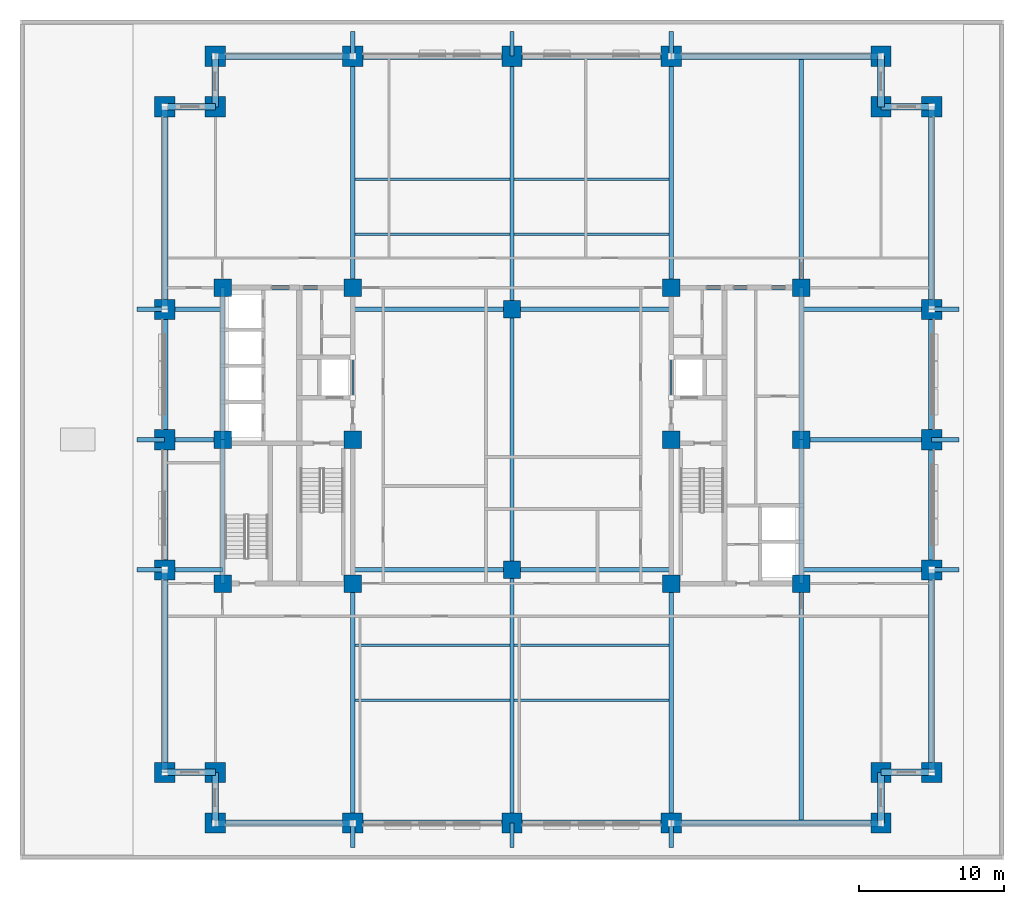
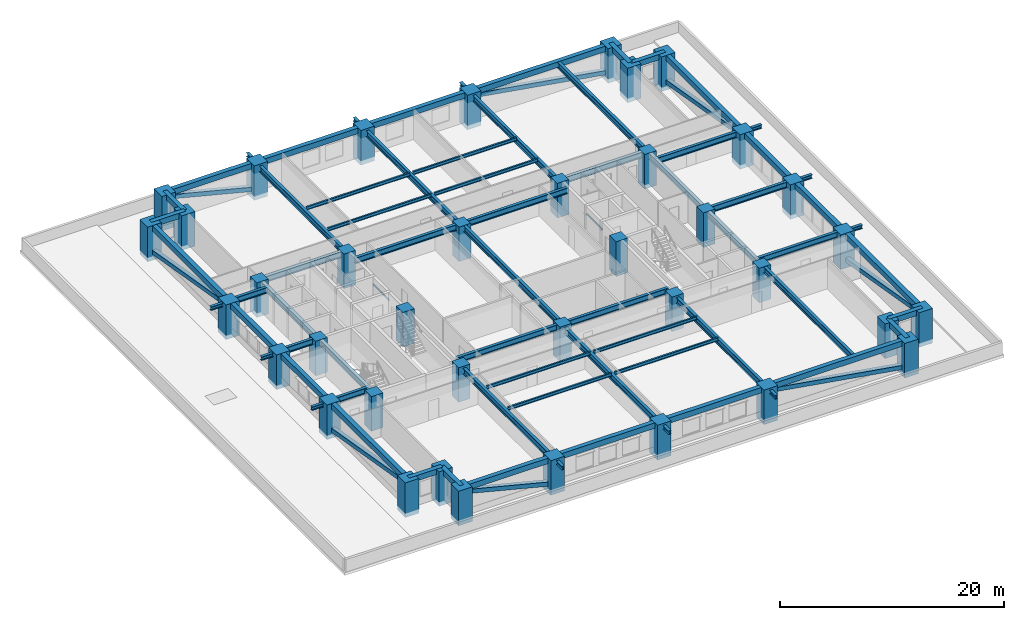
# One storey, part 1 of 12: 71 beams, 38 columns, 8 members.
"""IFC4 building model written with IfcOpenShell, lengths in metres."""

from ifc_helpers import new_model, si_unit, direction, frame, origin, origin_2d, place, context, subcontext, project, spatial, rectangle, hollow_rectangle, i_section, extrude, material, material_profile, profile_set, type_object, element, save


model = new_model("IFC4")

# Units and contexts
model_context = context("Model", 3, precision=1e-05, world=origin(), true_north=direction((0.0, 1.0)))
body_context = subcontext(model_context, "Body", "Model", "MODEL_VIEW")
ifc_project = project(units=[si_unit("LENGTHUNIT", "METRE"), si_unit("AREAUNIT", "SQUARE_METRE"), si_unit("VOLUMEUNIT", "CUBIC_METRE"), si_unit("PLANEANGLEUNIT", "RADIAN"), si_unit("MASSUNIT", "GRAM", prefix="KILO")], contexts=[model_context])

# Site, building, storey
site_placement = place(None, origin())
site = spatial("IfcSite", under=ifc_project, at=site_placement, CompositionType="ELEMENT")
building_placement = place(site_placement, origin())
building = spatial("IfcBuilding", under=site, at=building_placement, Name="Zulmaris Gate Convention Tower", CompositionType="ELEMENT")
storey_placement = place(building_placement, frame((0.0, 0.0, 27.199951171875)))
storey = spatial("IfcBuildingStorey", under=building, at=storey_placement, Name="L05", CompositionType="ELEMENT", Elevation=27.199951171875)

# Columns
ifc_material_1 = material(Name="Concrete C70/85", Category="concrete")
ifc_material_profile_1 = material_profile(ifc_material_1, rectangle(XDim=1.199951171875, YDim=1.199951171875, at=origin_2d()), Name="RC COL 1200x1200")
ifc_profile_set_1 = profile_set([ifc_material_profile_1], Name="Concrete C70/85")
column_type_1 = type_object("IfcColumnType", Name="COL-RC1200", PredefinedType="COLUMN", material=ifc_profile_set_1)
for number, where, z_axis, x_axis, name in (
    (1, (-20.0, -9.949951171875, -0.449951171875), (0.0, 0.0, 1.0), (1.0, 0.0, 0.0), "L05 Column IN--20.00_-9.95"),
    (2, (-20.0, 10.5, -0.449951171875), (0.0, 0.0, 1.0), (1.0, 0.0, 0.0), "L05 Column IN--20.00_+10.50"),
    (3, (-11.0, -9.949951171875, -0.449951171875), (0.0, 0.0, 1.0), (1.0, 0.0, 0.0), "L05 Column IN--11.00_-9.95"),
    (4, (-11.0, 0.0, -0.449951171875), (0.0, 0.0, 1.0), (1.0, 0.0, 0.0), "L05 Column IN--11.00_+0.00"),
    (5, (-11.0, 10.5, -0.449951171875), (0.0, 0.0, 1.0), (1.0, 0.0, 0.0), "L05 Column IN--11.00_+10.50"),
    (6, (11.0, -9.949951171875, -0.449951171875), (0.0, 0.0, 1.0), (1.0, 0.0, 0.0), "L05 Column IN-+11.00_-9.95"),
    (7, (11.0, 0.0, -0.449951171875), (0.0, 0.0, 1.0), (1.0, 0.0, 0.0), "L05 Column IN-+11.00_+0.00"),
    (8, (11.0, 10.5, -0.449951171875), (0.0, 0.0, 1.0), (1.0, 0.0, 0.0), "L05 Column IN-+11.00_+10.50"),
    (9, (20.0, -9.949951171875, -0.449951171875), (0.0, 0.0, 1.0), (1.0, 0.0, 0.0), "L05 Column IN-+20.00_-9.95"),
    (10, (20.0, 10.5, -0.449951171875), (0.0, 0.0, 1.0), (1.0, 0.0, 0.0), "L05 Column IN-+20.00_+10.50"),
    (11, (0.0, -9.0, -0.449951171875), (0.0, 0.0, 1.0), (1.0, 0.0, 0.0), "L05 Column IN-+0.00_-9.00"),
    (12, (0.0, 9.0, -0.449951171875), (0.0, 0.0, 1.0), (1.0, 0.0, 0.0), "L05 Column IN-+0.00_+9.00"),
    (13, (-20.0, 0.0, -0.449951171875), (0.0, 0.0, 1.0), (1.0, 0.0, 0.0), "L05 Column IN--20.00_+0.00"),
    (14, (20.0, 0.0, -0.449951171875), (0.0, 0.0, 1.0), (1.0, 0.0, 0.0), "L05 Column IN-+20.00_+0.00"),
):
    element("IfcColumn", number, at=place(storey_placement, frame(where, z_axis=z_axis, x_axis=x_axis)), inside=storey, type_object=column_type_1, Name=name, PredefinedType="COLUMN", context=body_context, shape_type="SweptSolid", body=[
        extrude(rectangle(XDim=1.199951171875, YDim=1.199951171875, at=origin_2d()), origin(), (0.0, 0.0, 1.0), 3.77001953125),
    ])
ifc_material_2 = material(Name="Concrete C80/95", Category="concrete")
ifc_material_profile_2 = material_profile(ifc_material_2, rectangle(XDim=1.39990234375, YDim=1.39990234375, at=origin_2d()), Name="RC COL 1400x1400")
ifc_profile_set_2 = profile_set([ifc_material_profile_2], Name="Concrete C80/95")
column_type_2 = type_object("IfcColumnType", Name="COL-RC1400", PredefinedType="COLUMN", material=ifc_profile_set_2)
for number, where, z_axis, x_axis, name in (
    (15, (-20.5, -26.5, -0.449951171875), (0.0, 0.0, 1.0), (1.0, 0.0, 0.0), "L05 Column PT--20.50_-26.50"),
    (16, (-11.0, -26.5, -0.449951171875), (0.0, 0.0, 1.0), (1.0, 0.0, 0.0), "L05 Column PT--11.00_-26.50"),
    (17, (0.0, -26.5, -0.449951171875), (0.0, 0.0, 1.0), (1.0, 0.0, 0.0), "L05 Column PT-+0.00_-26.50"),
    (18, (11.0, -26.5, -0.449951171875), (0.0, 0.0, 1.0), (1.0, 0.0, 0.0), "L05 Column PT-+11.00_-26.50"),
    (19, (25.5, -26.5, -0.449951171875), (0.0, 0.0, 1.0), (1.0, 0.0, 0.0), "L05 Column PT-+25.50_-26.50"),
    (20, (-20.5, 26.5, -0.449951171875), (0.0, 0.0, 1.0), (1.0, 0.0, 0.0), "L05 Column PT--20.50_+26.50"),
    (21, (-11.0, 26.5, -0.449951171875), (0.0, 0.0, 1.0), (1.0, 0.0, 0.0), "L05 Column PT--11.00_+26.50"),
    (22, (0.0, 26.5, -0.449951171875), (0.0, 0.0, 1.0), (1.0, 0.0, 0.0), "L05 Column PT-+0.00_+26.50"),
    (23, (11.0, 26.5, -0.449951171875), (0.0, 0.0, 1.0), (1.0, 0.0, 0.0), "L05 Column PT-+11.00_+26.50"),
    (24, (25.5, 26.5, -0.449951171875), (0.0, 0.0, 1.0), (1.0, 0.0, 0.0), "L05 Column PT-+25.50_+26.50"),
    (25, (-24.0, -23.0, -0.449951171875), (0.0, 0.0, 1.0), (1.0, 0.0, 0.0), "L05 Column PT--24.00_-23.00"),
    (26, (-24.0, -9.0, -0.449951171875), (0.0, 0.0, 1.0), (1.0, 0.0, 0.0), "L05 Column PT--24.00_-9.00"),
    (27, (-24.0, 0.0, -0.449951171875), (0.0, 0.0, 1.0), (1.0, 0.0, 0.0), "L05 Column PT--24.00_+0.00"),
    (28, (-24.0, 9.0, -0.449951171875), (0.0, 0.0, 1.0), (1.0, 0.0, 0.0), "L05 Column PT--24.00_+9.00"),
    (29, (-24.0, 23.0, -0.449951171875), (0.0, 0.0, 1.0), (1.0, 0.0, 0.0), "L05 Column PT--24.00_+23.00"),
    (30, (29.0, -23.0, -0.449951171875), (0.0, 0.0, 1.0), (1.0, 0.0, 0.0), "L05 Column PT-+29.00_-23.00"),
    (31, (29.0, -9.0, -0.449951171875), (0.0, 0.0, 1.0), (1.0, 0.0, 0.0), "L05 Column PT-+29.00_-9.00"),
    (32, (29.0, 0.0, -0.449951171875), (0.0, 0.0, 1.0), (1.0, 0.0, 0.0), "L05 Column PT-+29.00_+0.00"),
    (33, (29.0, 9.0, -0.449951171875), (0.0, 0.0, 1.0), (1.0, 0.0, 0.0), "L05 Column PT-+29.00_+9.00"),
    (34, (29.0, 23.0, -0.449951171875), (0.0, 0.0, 1.0), (1.0, 0.0, 0.0), "L05 Column PT-+29.00_+23.00"),
    (35, (-20.5, -23.0, -0.449951171875), (0.0, 0.0, 1.0), (1.0, 0.0, 0.0), "L05 Column PT--20.50_-23.00"),
    (36, (25.5, -23.0, -0.449951171875), (0.0, 0.0, 1.0), (1.0, 0.0, 0.0), "L05 Column PT-+25.50_-23.00"),
    (37, (25.5, 23.0, -0.449951171875), (0.0, 0.0, 1.0), (1.0, 0.0, 0.0), "L05 Column PT-+25.50_+23.00"),
    (38, (-20.5, 23.0, -0.449951171875), (0.0, 0.0, 1.0), (1.0, 0.0, 0.0), "L05 Column PT--20.50_+23.00"),
):
    element("IfcColumn", number, at=place(storey_placement, frame(where, z_axis=z_axis, x_axis=x_axis)), inside=storey, type_object=column_type_2, Name=name, PredefinedType="COLUMN", context=body_context, shape_type="SweptSolid", body=[
        extrude(rectangle(XDim=1.39990234375, YDim=1.39990234375, at=origin_2d()), origin(), (0.0, 0.0, 1.0), 3.77001953125),
    ])

# Beams
ifc_material_3 = material(Name="Steel S355", Category="steel")
ifc_material_profile_3 = material_profile(ifc_material_3, i_section(OverallWidth=0.300048828125, OverallDepth=0.39990234375, WebThickness=0.013427734375, FlangeThickness=0.02392578125, FilletRadius=0.027099609375, at=origin_2d()), Name="HEB 400")
ifc_profile_set_3 = profile_set([ifc_material_profile_3], Name="Steel S355")
beam_type_1 = type_object("IfcBeamType", Name="BM-HEB400", PredefinedType="BEAM", material=ifc_profile_set_3)
for number, where, z_axis, x_axis, name in (
    (39, (-11.0, -28.199951171875, 2.91796875), (0.0, 1.0, 0.0), (-1.0, 0.0, 0.0), "L05 Beam TBRK-L05-S--11"),
    (40, (-11.0, 26.5, 2.91796875), (0.0, 1.0, 0.0), (-1.0, 0.0, 0.0), "L05 Beam TBRK-L05-N--11"),
    (41, (0.0, -28.199951171875, 2.91796875), (0.0, 1.0, 0.0), (-1.0, 0.0, 0.0), "L05 Beam TBRK-L05-S-+0"),
    (42, (0.0, 26.5, 2.91796875), (0.0, 1.0, 0.0), (-1.0, 0.0, 0.0), "L05 Beam TBRK-L05-N-+0"),
    (43, (11.0, -28.199951171875, 2.91796875), (0.0, 1.0, 0.0), (-1.0, 0.0, 0.0), "L05 Beam TBRK-L05-S-+11"),
    (44, (11.0, 26.5, 2.91796875), (0.0, 1.0, 0.0), (-1.0, 0.0, 0.0), "L05 Beam TBRK-L05-N-+11"),
):
    element("IfcBeam", number, at=place(storey_placement, frame(where, z_axis=z_axis, x_axis=x_axis)), inside=storey, type_object=beam_type_1, Name=name, PredefinedType="BEAM", context=body_context, shape_type="SweptSolid", body=[
        extrude(i_section(OverallWidth=0.300048828125, OverallDepth=0.39990234375, WebThickness=0.013427734375, FlangeThickness=0.02392578125, FilletRadius=0.027099609375, at=origin_2d()), origin(), (0.0, 0.0, 1.0), 1.699951171875),
    ])
for number, where, z_axis, x_axis, name in (
    (45, (-25.89990234375, -9.0, 2.97998046875), (1.0, 0.0, 0.0), (0.0, 1.0, 0.0), "L05 Beam TBRK-L05-W--9"),
    (46, (29.0, -9.0, 2.97998046875), (1.0, 0.0, 0.0), (0.0, 1.0, 0.0), "L05 Beam TBRK-L05-E--9"),
    (47, (-25.89990234375, 0.0, 2.97998046875), (1.0, 0.0, 0.0), (0.0, 1.0, 0.0), "L05 Beam TBRK-L05-W-+0"),
    (48, (29.0, 0.0, 2.97998046875), (1.0, 0.0, 0.0), (0.0, 1.0, 0.0), "L05 Beam TBRK-L05-E-+0"),
    (49, (-25.89990234375, 9.0, 2.97998046875), (1.0, 0.0, 0.0), (0.0, 1.0, 0.0), "L05 Beam TBRK-L05-W-+9"),
    (50, (29.0, 9.0, 2.97998046875), (1.0, 0.0, 0.0), (0.0, 1.0, 0.0), "L05 Beam TBRK-L05-E-+9"),
):
    element("IfcBeam", number, at=place(storey_placement, frame(where, z_axis=z_axis, x_axis=x_axis)), inside=storey, type_object=beam_type_1, Name=name, PredefinedType="BEAM", context=body_context, shape_type="SweptSolid", body=[
        extrude(i_section(OverallWidth=0.300048828125, OverallDepth=0.39990234375, WebThickness=0.013427734375, FlangeThickness=0.02392578125, FilletRadius=0.027099609375, at=origin_2d()), origin(), (0.0, 0.0, 1.0), 1.89990234375),
    ])
ifc_material_profile_4 = material_profile(ifc_material_3, i_section(OverallWidth=0.300048828125, OverallDepth=0.64990234375, WebThickness=0.01611328125, FlangeThickness=0.031005859375, FilletRadius=0.027099609375, at=origin_2d()), Name="HEB 650")
ifc_profile_set_4 = profile_set([ifc_material_profile_4], Name="Steel S355")
beam_type_2 = type_object("IfcBeamType", Name="BM-HEB650", PredefinedType="BEAM", material=ifc_profile_set_4)
for number, where, z_axis, x_axis, name in (
    (51, (-11.0, -9.0, 2.9931640625), (1.0, 0.0, 0.0), (0.0, 1.0, 0.0), "L05 Beam BM-L05-G01"),
    (52, (0.0, -9.0, 2.9931640625), (1.0, 0.0, 0.0), (0.0, 1.0, 0.0), "L05 Beam BM-L05-G02"),
    (53, (-11.0, 9.0, 2.9931640625), (1.0, 0.0, 0.0), (0.0, 1.0, 0.0), "L05 Beam BM-L05-G03"),
    (54, (0.0, 9.0, 2.9931640625), (1.0, 0.0, 0.0), (0.0, 1.0, 0.0), "L05 Beam BM-L05-G04"),
):
    element("IfcBeam", number, at=place(storey_placement, frame(where, z_axis=z_axis, x_axis=x_axis)), inside=storey, type_object=beam_type_2, Name=name, PredefinedType="BEAM", context=body_context, shape_type="SweptSolid", body=[
        extrude(i_section(OverallWidth=0.300048828125, OverallDepth=0.64990234375, WebThickness=0.01611328125, FlangeThickness=0.031005859375, FilletRadius=0.027099609375, at=origin_2d()), origin(), (0.0, 0.0, 1.0), 11.0),
    ])
beam_1_placement = place(storey_placement, frame((0.0, -26.5, 2.79296875), z_axis=(0.0, 1.0, 0.0), x_axis=(-1.0, 0.0, 0.0)))
element("IfcBeam", 55, at=beam_1_placement, inside=storey, type_object=beam_type_2, Name="L05 Beam BM-L05-G05", PredefinedType="BEAM", context=body_context, shape_type="SweptSolid", body=[
    extrude(i_section(OverallWidth=0.300048828125, OverallDepth=0.64990234375, WebThickness=0.01611328125, FlangeThickness=0.031005859375, FilletRadius=0.027099609375, at=origin_2d()), origin(), (0.0, 0.0, 1.0), 17.5),
])
beam_2_placement = place(storey_placement, frame((0.0, -9.0, 2.9931640625), z_axis=(0.0, 1.0, 0.0), x_axis=(-1.0, 0.0, 0.0)))
element("IfcBeam", 56, at=beam_2_placement, inside=storey, type_object=beam_type_2, Name="L05 Beam BM-L05-G06", PredefinedType="BEAM", context=body_context, shape_type="SweptSolid", body=[
    extrude(i_section(OverallWidth=0.300048828125, OverallDepth=0.64990234375, WebThickness=0.01611328125, FlangeThickness=0.031005859375, FilletRadius=0.027099609375, at=origin_2d()), origin(), (0.0, 0.0, 1.0), 18.0),
])
beam_3_placement = place(storey_placement, frame((0.0, 9.0, 2.79296875), z_axis=(0.0, 1.0, 0.0), x_axis=(-1.0, 0.0, 0.0)))
element("IfcBeam", 57, at=beam_3_placement, inside=storey, type_object=beam_type_2, Name="L05 Beam BM-L05-G07", PredefinedType="BEAM", context=body_context, shape_type="SweptSolid", body=[
    extrude(i_section(OverallWidth=0.300048828125, OverallDepth=0.64990234375, WebThickness=0.01611328125, FlangeThickness=0.031005859375, FilletRadius=0.027099609375, at=origin_2d()), origin(), (0.0, 0.0, 1.0), 17.5),
])
beam_4_placement = place(storey_placement, frame((-11.0, -26.5, 2.79296875), z_axis=(0.0, 1.0, 0.0), x_axis=(-1.0, 0.0, 0.0)))
element("IfcBeam", 58, at=beam_4_placement, inside=storey, type_object=beam_type_2, Name="L05 Beam BM-L05-G08", PredefinedType="BEAM", context=body_context, shape_type="SweptSolid", body=[
    extrude(i_section(OverallWidth=0.300048828125, OverallDepth=0.64990234375, WebThickness=0.01611328125, FlangeThickness=0.031005859375, FilletRadius=0.027099609375, at=origin_2d()), origin(), (0.0, 0.0, 1.0), 16.550048828125),
])
beam_5_placement = place(storey_placement, frame((-11.0, 10.5, 2.79296875), z_axis=(0.0, 1.0, 0.0), x_axis=(-1.0, 0.0, 0.0)))
element("IfcBeam", 59, at=beam_5_placement, inside=storey, type_object=beam_type_2, Name="L05 Beam BM-L05-G09", PredefinedType="BEAM", context=body_context, shape_type="SweptSolid", body=[
    extrude(i_section(OverallWidth=0.300048828125, OverallDepth=0.64990234375, WebThickness=0.01611328125, FlangeThickness=0.031005859375, FilletRadius=0.027099609375, at=origin_2d()), origin(), (0.0, 0.0, 1.0), 16.0),
])
beam_6_placement = place(storey_placement, frame((11.0, -26.5, 2.79296875), z_axis=(0.0, 1.0, 0.0), x_axis=(-1.0, 0.0, 0.0)))
element("IfcBeam", 60, at=beam_6_placement, inside=storey, type_object=beam_type_2, Name="L05 Beam BM-L05-G10", PredefinedType="BEAM", context=body_context, shape_type="SweptSolid", body=[
    extrude(i_section(OverallWidth=0.300048828125, OverallDepth=0.64990234375, WebThickness=0.01611328125, FlangeThickness=0.031005859375, FilletRadius=0.027099609375, at=origin_2d()), origin(), (0.0, 0.0, 1.0), 16.550048828125),
])
beam_7_placement = place(storey_placement, frame((11.0, 10.5, 2.79296875), z_axis=(0.0, 1.0, 0.0), x_axis=(-1.0, 0.0, 0.0)))
element("IfcBeam", 61, at=beam_7_placement, inside=storey, type_object=beam_type_2, Name="L05 Beam BM-L05-G11", PredefinedType="BEAM", context=body_context, shape_type="SweptSolid", body=[
    extrude(i_section(OverallWidth=0.300048828125, OverallDepth=0.64990234375, WebThickness=0.01611328125, FlangeThickness=0.031005859375, FilletRadius=0.027099609375, at=origin_2d()), origin(), (0.0, 0.0, 1.0), 16.0),
])
beam_8_placement = place(storey_placement, frame((20.0, -26.5, 2.9931640625), z_axis=(0.0, 1.0, 0.0), x_axis=(-1.0, 0.0, 0.0)))
element("IfcBeam", 62, at=beam_8_placement, inside=storey, type_object=beam_type_2, Name="L05 Beam BM-L05-G14", PredefinedType="BEAM", context=body_context, shape_type="SweptSolid", body=[
    extrude(i_section(OverallWidth=0.300048828125, OverallDepth=0.64990234375, WebThickness=0.01611328125, FlangeThickness=0.031005859375, FilletRadius=0.027099609375, at=origin_2d()), origin(), (0.0, 0.0, 1.0), 16.550048828125),
])
beam_9_placement = place(storey_placement, frame((20.0, 10.5, 2.9931640625), z_axis=(0.0, 1.0, 0.0), x_axis=(-1.0, 0.0, 0.0)))
element("IfcBeam", 63, at=beam_9_placement, inside=storey, type_object=beam_type_2, Name="L05 Beam BM-L05-G15", PredefinedType="BEAM", context=body_context, shape_type="SweptSolid", body=[
    extrude(i_section(OverallWidth=0.300048828125, OverallDepth=0.64990234375, WebThickness=0.01611328125, FlangeThickness=0.031005859375, FilletRadius=0.027099609375, at=origin_2d()), origin(), (0.0, 0.0, 1.0), 16.0),
])
for number, where, z_axis, x_axis, name in (
    (64, (-24.0, -9.0, 2.9931640625), (1.0, 0.0, 0.0), (0.0, 1.0, 0.0), "L05 Beam BM-L05-G16"),
    (65, (-24.0, 0.0, 2.9931640625), (1.0, 0.0, 0.0), (0.0, 1.0, 0.0), "L05 Beam BM-L05-G17"),
    (66, (-24.0, 9.0, 2.9931640625), (1.0, 0.0, 0.0), (0.0, 1.0, 0.0), "L05 Beam BM-L05-G18"),
):
    element("IfcBeam", number, at=place(storey_placement, frame(where, z_axis=z_axis, x_axis=x_axis)), inside=storey, type_object=beam_type_2, Name=name, PredefinedType="BEAM", context=body_context, shape_type="SweptSolid", body=[
        extrude(i_section(OverallWidth=0.300048828125, OverallDepth=0.64990234375, WebThickness=0.01611328125, FlangeThickness=0.031005859375, FilletRadius=0.027099609375, at=origin_2d()), origin(), (0.0, 0.0, 1.0), 4.0),
    ])
for number, where, z_axis, x_axis, name in (
    (67, (20.0, -9.0, 2.9931640625), (1.0, 0.0, 0.0), (0.0, 1.0, 0.0), "L05 Beam BM-L05-G19"),
    (68, (20.0, 0.0, 2.9931640625), (1.0, 0.0, 0.0), (0.0, 1.0, 0.0), "L05 Beam BM-L05-G20"),
    (69, (20.0, 9.0, 2.9931640625), (1.0, 0.0, 0.0), (0.0, 1.0, 0.0), "L05 Beam BM-L05-G21"),
    (70, (-20.0, 10.5, 2.9931640625), (1.0, 0.0, 0.0), (0.0, 1.0, 0.0), "L05 Beam BM-L05-G23"),
    (71, (11.0, 10.5, 2.9931640625), (1.0, 0.0, 0.0), (0.0, 1.0, 0.0), "L05 Beam BM-L05-G25"),
):
    element("IfcBeam", number, at=place(storey_placement, frame(where, z_axis=z_axis, x_axis=x_axis)), inside=storey, type_object=beam_type_2, Name=name, PredefinedType="BEAM", context=body_context, shape_type="SweptSolid", body=[
        extrude(i_section(OverallWidth=0.300048828125, OverallDepth=0.64990234375, WebThickness=0.01611328125, FlangeThickness=0.031005859375, FilletRadius=0.027099609375, at=origin_2d()), origin(), (0.0, 0.0, 1.0), 9.0),
    ])
beam_10_placement = place(storey_placement, frame((-20.0, -9.949951171875, 2.9931640625), z_axis=(0.0, 1.0, 0.0), x_axis=(-1.0, 0.0, 0.0)))
element("IfcBeam", 72, at=beam_10_placement, inside=storey, type_object=beam_type_2, Name="L05 Beam BM-L05-G26", PredefinedType="BEAM", context=body_context, shape_type="SweptSolid", body=[
    extrude(i_section(OverallWidth=0.300048828125, OverallDepth=0.64990234375, WebThickness=0.01611328125, FlangeThickness=0.031005859375, FilletRadius=0.027099609375, at=origin_2d()), origin(), (0.0, 0.0, 1.0), 9.949951171875),
])
beam_11_placement = place(storey_placement, frame((-20.0, 0.0, 2.9931640625), z_axis=(0.0, 1.0, 0.0), x_axis=(-1.0, 0.0, 0.0)))
element("IfcBeam", 73, at=beam_11_placement, inside=storey, type_object=beam_type_2, Name="L05 Beam BM-L05-G27", PredefinedType="BEAM", context=body_context, shape_type="SweptSolid", body=[
    extrude(i_section(OverallWidth=0.300048828125, OverallDepth=0.64990234375, WebThickness=0.01611328125, FlangeThickness=0.031005859375, FilletRadius=0.027099609375, at=origin_2d()), origin(), (0.0, 0.0, 1.0), 10.5),
])
beam_12_placement = place(storey_placement, frame((20.0, -9.949951171875, 2.9931640625), z_axis=(0.0, 1.0, 0.0), x_axis=(-1.0, 0.0, 0.0)))
element("IfcBeam", 74, at=beam_12_placement, inside=storey, type_object=beam_type_2, Name="L05 Beam BM-L05-G28", PredefinedType="BEAM", context=body_context, shape_type="SweptSolid", body=[
    extrude(i_section(OverallWidth=0.300048828125, OverallDepth=0.64990234375, WebThickness=0.01611328125, FlangeThickness=0.031005859375, FilletRadius=0.027099609375, at=origin_2d()), origin(), (0.0, 0.0, 1.0), 9.949951171875),
])
beam_13_placement = place(storey_placement, frame((20.0, 0.0, 2.9931640625), z_axis=(0.0, 1.0, 0.0), x_axis=(-1.0, 0.0, 0.0)))
element("IfcBeam", 75, at=beam_13_placement, inside=storey, type_object=beam_type_2, Name="L05 Beam BM-L05-G29", PredefinedType="BEAM", context=body_context, shape_type="SweptSolid", body=[
    extrude(i_section(OverallWidth=0.300048828125, OverallDepth=0.64990234375, WebThickness=0.01611328125, FlangeThickness=0.031005859375, FilletRadius=0.027099609375, at=origin_2d()), origin(), (0.0, 0.0, 1.0), 10.5),
])
ifc_material_4 = material(Name="Precast concrete C50/60", Category="concrete")
ifc_material_profile_5 = material_profile(ifc_material_4, rectangle(XDim=0.449951171875, YDim=0.60009765625, at=origin_2d()), Name="RC SPANDREL 450x600")
ifc_profile_set_5 = profile_set([ifc_material_profile_5], Name="Precast concrete C50/60")
beam_type_3 = type_object("IfcBeamType", Name="BM-SP450x600", PredefinedType="SPANDREL", material=ifc_profile_set_5)
beam_14_placement = place(storey_placement, frame((-20.5, -26.5, 3.02001953125), z_axis=(1.0, 0.0, 0.0), x_axis=(0.0, 1.0, 0.0)))
element("IfcBeam", 76, at=beam_14_placement, inside=storey, type_object=beam_type_3, Name="L05 Spandrel SP-L05-01", PredefinedType="SPANDREL", context=body_context, shape_type="SweptSolid", body=[
    extrude(rectangle(XDim=0.449951171875, YDim=0.60009765625, at=origin_2d()), origin(), (0.0, 0.0, 1.0), 9.5),
])
for number, where, z_axis, x_axis, name in (
    (77, (-11.0, -26.5, 3.02001953125), (1.0, 0.0, 0.0), (0.0, 1.0, 0.0), "L05 Spandrel SP-L05-02"),
    (78, (0.0, -26.5, 3.02001953125), (1.0, 0.0, 0.0), (0.0, 1.0, 0.0), "L05 Spandrel SP-L05-03"),
):
    element("IfcBeam", number, at=place(storey_placement, frame(where, z_axis=z_axis, x_axis=x_axis)), inside=storey, type_object=beam_type_3, Name=name, PredefinedType="SPANDREL", context=body_context, shape_type="SweptSolid", body=[
        extrude(rectangle(XDim=0.449951171875, YDim=0.60009765625, at=origin_2d()), origin(), (0.0, 0.0, 1.0), 11.0),
    ])
beam_15_placement = place(storey_placement, frame((11.0, -26.5, 3.02001953125), z_axis=(1.0, 0.0, 0.0), x_axis=(0.0, 1.0, 0.0)))
element("IfcBeam", 79, at=beam_15_placement, inside=storey, type_object=beam_type_3, Name="L05 Spandrel SP-L05-04", PredefinedType="SPANDREL", context=body_context, shape_type="SweptSolid", body=[
    extrude(rectangle(XDim=0.449951171875, YDim=0.60009765625, at=origin_2d()), origin(), (0.0, 0.0, 1.0), 14.5),
])
for number, where, z_axis, x_axis, name in (
    (80, (25.5, -26.5, 3.02001953125), (0.0, 1.0, 0.0), (-1.0, 0.0, 0.0), "L05 Spandrel SP-L05-05"),
    (81, (25.5, -23.0, 3.02001953125), (1.0, 0.0, 0.0), (0.0, 1.0, 0.0), "L05 Spandrel SP-L05-06"),
):
    element("IfcBeam", number, at=place(storey_placement, frame(where, z_axis=z_axis, x_axis=x_axis)), inside=storey, type_object=beam_type_3, Name=name, PredefinedType="SPANDREL", context=body_context, shape_type="SweptSolid", body=[
        extrude(rectangle(XDim=0.449951171875, YDim=0.60009765625, at=origin_2d()), origin(), (0.0, 0.0, 1.0), 3.5),
    ])
beam_16_placement = place(storey_placement, frame((29.0, -23.0, 3.02001953125), z_axis=(0.0, 1.0, 0.0), x_axis=(-1.0, 0.0, 0.0)))
element("IfcBeam", 82, at=beam_16_placement, inside=storey, type_object=beam_type_3, Name="L05 Spandrel SP-L05-07", PredefinedType="SPANDREL", context=body_context, shape_type="SweptSolid", body=[
    extrude(rectangle(XDim=0.449951171875, YDim=0.60009765625, at=origin_2d()), origin(), (0.0, 0.0, 1.0), 14.0),
])
for number, where, z_axis, x_axis, name in (
    (83, (29.0, -9.0, 3.02001953125), (0.0, 1.0, 0.0), (-1.0, 0.0, 0.0), "L05 Spandrel SP-L05-08"),
    (84, (29.0, 0.0, 3.02001953125), (0.0, 1.0, 0.0), (-1.0, 0.0, 0.0), "L05 Spandrel SP-L05-09"),
):
    element("IfcBeam", number, at=place(storey_placement, frame(where, z_axis=z_axis, x_axis=x_axis)), inside=storey, type_object=beam_type_3, Name=name, PredefinedType="SPANDREL", context=body_context, shape_type="SweptSolid", body=[
        extrude(rectangle(XDim=0.449951171875, YDim=0.60009765625, at=origin_2d()), origin(), (0.0, 0.0, 1.0), 9.0),
    ])
beam_17_placement = place(storey_placement, frame((29.0, 9.0, 3.02001953125), z_axis=(0.0, 1.0, 0.0), x_axis=(-1.0, 0.0, 0.0)))
element("IfcBeam", 85, at=beam_17_placement, inside=storey, type_object=beam_type_3, Name="L05 Spandrel SP-L05-10", PredefinedType="SPANDREL", context=body_context, shape_type="SweptSolid", body=[
    extrude(rectangle(XDim=0.449951171875, YDim=0.60009765625, at=origin_2d()), origin(), (0.0, 0.0, 1.0), 14.0),
])
for number, where, z_axis, x_axis, name in (
    (86, (29.0, 23.0, 3.02001953125), (-1.0, 0.0, 0.0), (0.0, -1.0, 0.0), "L05 Spandrel SP-L05-11"),
    (87, (25.5, 23.0, 3.02001953125), (0.0, 1.0, 0.0), (-1.0, 0.0, 0.0), "L05 Spandrel SP-L05-12"),
):
    element("IfcBeam", number, at=place(storey_placement, frame(where, z_axis=z_axis, x_axis=x_axis)), inside=storey, type_object=beam_type_3, Name=name, PredefinedType="SPANDREL", context=body_context, shape_type="SweptSolid", body=[
        extrude(rectangle(XDim=0.449951171875, YDim=0.60009765625, at=origin_2d()), origin(), (0.0, 0.0, 1.0), 3.5),
    ])
beam_18_placement = place(storey_placement, frame((25.5, 26.5, 3.02001953125), z_axis=(-1.0, 0.0, 0.0), x_axis=(0.0, -1.0, 0.0)))
element("IfcBeam", 88, at=beam_18_placement, inside=storey, type_object=beam_type_3, Name="L05 Spandrel SP-L05-13", PredefinedType="SPANDREL", context=body_context, shape_type="SweptSolid", body=[
    extrude(rectangle(XDim=0.449951171875, YDim=0.60009765625, at=origin_2d()), origin(), (0.0, 0.0, 1.0), 14.5),
])
for number, where, z_axis, x_axis, name in (
    (89, (11.0, 26.5, 3.02001953125), (-1.0, 0.0, 0.0), (0.0, -1.0, 0.0), "L05 Spandrel SP-L05-14"),
    (90, (0.0, 26.5, 3.02001953125), (-1.0, 0.0, 0.0), (0.0, -1.0, 0.0), "L05 Spandrel SP-L05-15"),
):
    element("IfcBeam", number, at=place(storey_placement, frame(where, z_axis=z_axis, x_axis=x_axis)), inside=storey, type_object=beam_type_3, Name=name, PredefinedType="SPANDREL", context=body_context, shape_type="SweptSolid", body=[
        extrude(rectangle(XDim=0.449951171875, YDim=0.60009765625, at=origin_2d()), origin(), (0.0, 0.0, 1.0), 11.0),
    ])
beam_19_placement = place(storey_placement, frame((-11.0, 26.5, 3.02001953125), z_axis=(-1.0, 0.0, 0.0), x_axis=(0.0, -1.0, 0.0)))
element("IfcBeam", 91, at=beam_19_placement, inside=storey, type_object=beam_type_3, Name="L05 Spandrel SP-L05-16", PredefinedType="SPANDREL", context=body_context, shape_type="SweptSolid", body=[
    extrude(rectangle(XDim=0.449951171875, YDim=0.60009765625, at=origin_2d()), origin(), (0.0, 0.0, 1.0), 9.5),
])
for number, where, z_axis, x_axis, name in (
    (92, (-20.5, 26.5, 3.02001953125), (0.0, -1.0, 0.0), (1.0, 0.0, 0.0), "L05 Spandrel SP-L05-17"),
    (93, (-20.5, 23.0, 3.02001953125), (-1.0, 0.0, 0.0), (0.0, -1.0, 0.0), "L05 Spandrel SP-L05-18"),
):
    element("IfcBeam", number, at=place(storey_placement, frame(where, z_axis=z_axis, x_axis=x_axis)), inside=storey, type_object=beam_type_3, Name=name, PredefinedType="SPANDREL", context=body_context, shape_type="SweptSolid", body=[
        extrude(rectangle(XDim=0.449951171875, YDim=0.60009765625, at=origin_2d()), origin(), (0.0, 0.0, 1.0), 3.5),
    ])
beam_20_placement = place(storey_placement, frame((-24.0, 23.0, 3.02001953125), z_axis=(0.0, -1.0, 0.0), x_axis=(1.0, 0.0, 0.0)))
element("IfcBeam", 94, at=beam_20_placement, inside=storey, type_object=beam_type_3, Name="L05 Spandrel SP-L05-19", PredefinedType="SPANDREL", context=body_context, shape_type="SweptSolid", body=[
    extrude(rectangle(XDim=0.449951171875, YDim=0.60009765625, at=origin_2d()), origin(), (0.0, 0.0, 1.0), 14.0),
])
for number, where, z_axis, x_axis, name in (
    (95, (-24.0, 9.0, 3.02001953125), (0.0, -1.0, 0.0), (1.0, 0.0, 0.0), "L05 Spandrel SP-L05-20"),
    (96, (-24.0, 0.0, 3.02001953125), (0.0, -1.0, 0.0), (1.0, 0.0, 0.0), "L05 Spandrel SP-L05-21"),
):
    element("IfcBeam", number, at=place(storey_placement, frame(where, z_axis=z_axis, x_axis=x_axis)), inside=storey, type_object=beam_type_3, Name=name, PredefinedType="SPANDREL", context=body_context, shape_type="SweptSolid", body=[
        extrude(rectangle(XDim=0.449951171875, YDim=0.60009765625, at=origin_2d()), origin(), (0.0, 0.0, 1.0), 9.0),
    ])
beam_21_placement = place(storey_placement, frame((-24.0, -9.0, 3.02001953125), z_axis=(0.0, -1.0, 0.0), x_axis=(1.0, 0.0, 0.0)))
element("IfcBeam", 97, at=beam_21_placement, inside=storey, type_object=beam_type_3, Name="L05 Spandrel SP-L05-22", PredefinedType="SPANDREL", context=body_context, shape_type="SweptSolid", body=[
    extrude(rectangle(XDim=0.449951171875, YDim=0.60009765625, at=origin_2d()), origin(), (0.0, 0.0, 1.0), 14.0),
])
for number, where, z_axis, x_axis, name in (
    (98, (-24.0, -23.0, 3.02001953125), (1.0, 0.0, 0.0), (0.0, 1.0, 0.0), "L05 Spandrel SP-L05-23"),
    (99, (-20.5, -23.0, 3.02001953125), (0.0, -1.0, 0.0), (1.0, 0.0, 0.0), "L05 Spandrel SP-L05-24"),
):
    element("IfcBeam", number, at=place(storey_placement, frame(where, z_axis=z_axis, x_axis=x_axis)), inside=storey, type_object=beam_type_3, Name=name, PredefinedType="SPANDREL", context=body_context, shape_type="SweptSolid", body=[
        extrude(rectangle(XDim=0.449951171875, YDim=0.60009765625, at=origin_2d()), origin(), (0.0, 0.0, 1.0), 3.5),
    ])

# Members
ifc_material_5 = material(Name="Steel S460", Category="steel")
ifc_material_profile_6 = material_profile(ifc_material_5, hollow_rectangle(XDim=0.449951171875, YDim=0.449951171875, WallThickness=0.02490234375, at=origin_2d()), Name="SHS 450x450x25")
ifc_profile_set_6 = profile_set([ifc_material_profile_6], Name="Steel S460")
member_type = type_object("IfcMemberType", Name="BR-SHS450", PredefinedType="BRACE", material=ifc_profile_set_6)
for number, where, z_axis, x_axis, name in (
    (100, (-24.0, -9.0, 0.300048828125), (0.0, -0.985623399742, 0.168957136221), (1.0, 0.0, 0.0), "L05 Perimeter Tube Diagonal SW-W"),
    (101, (-24.0, 23.0, 0.300048828125), (0.0, -0.985623399742, 0.168957136221), (1.0, 0.0, 0.0), "L05 Perimeter Tube Diagonal NW-W"),
    (102, (29.0, -9.0, 0.300048828125), (0.0, -0.985623399742, 0.168957136221), (1.0, 0.0, 0.0), "L05 Perimeter Tube Diagonal SE-E"),
    (103, (29.0, 23.0, 0.300048828125), (0.0, -0.985623399742, 0.168957136221), (1.0, 0.0, 0.0), "L05 Perimeter Tube Diagonal NE-E"),
):
    element("IfcMember", number, at=place(storey_placement, frame(where, z_axis=z_axis, x_axis=x_axis)), inside=storey, type_object=member_type, Name=name, PredefinedType="BRACE", context=body_context, shape_type="SweptSolid", body=[
        extrude(hollow_rectangle(XDim=0.449951171875, YDim=0.449951171875, WallThickness=0.02490234375, at=origin_2d()), origin(), (0.0, 0.0, 1.0), 14.2041015625),
    ])
member_1_placement = place(storey_placement, frame((-11.0, -26.5, 0.300048828125), z_axis=(-0.969541561087, 0.0, 0.244926848928), x_axis=(0.0, -1.0, 0.0)))
element("IfcMember", 104, at=member_1_placement, inside=storey, type_object=member_type, Name="L05 Perimeter Tube Diagonal SW-S", PredefinedType="BRACE", context=body_context, shape_type="SweptSolid", body=[
    extrude(hollow_rectangle(XDim=0.449951171875, YDim=0.449951171875, WallThickness=0.02490234375, at=origin_2d()), origin(), (0.0, 0.0, 1.0), 9.79833984375),
])
member_2_placement = place(storey_placement, frame((25.5, -26.5, 0.300048828125), z_axis=(-0.986578268552, 0.0, 0.163289068896), x_axis=(0.0, -1.0, 0.0)))
element("IfcMember", 105, at=member_2_placement, inside=storey, type_object=member_type, Name="L05 Perimeter Tube Diagonal SE-S", PredefinedType="BRACE", context=body_context, shape_type="SweptSolid", body=[
    extrude(hollow_rectangle(XDim=0.449951171875, YDim=0.449951171875, WallThickness=0.02490234375, at=origin_2d()), origin(), (0.0, 0.0, 1.0), 14.697265625),
])
member_3_placement = place(storey_placement, frame((-11.0, 26.5, 0.300048828125), z_axis=(-0.969541561087, 0.0, 0.244926848928), x_axis=(0.0, -1.0, 0.0)))
element("IfcMember", 106, at=member_3_placement, inside=storey, type_object=member_type, Name="L05 Perimeter Tube Diagonal NW-N", PredefinedType="BRACE", context=body_context, shape_type="SweptSolid", body=[
    extrude(hollow_rectangle(XDim=0.449951171875, YDim=0.449951171875, WallThickness=0.02490234375, at=origin_2d()), origin(), (0.0, 0.0, 1.0), 9.79833984375),
])
member_4_placement = place(storey_placement, frame((25.5, 26.5, 0.300048828125), z_axis=(-0.986578268552, 0.0, 0.163289068896), x_axis=(0.0, -1.0, 0.0)))
element("IfcMember", 107, at=member_4_placement, inside=storey, type_object=member_type, Name="L05 Perimeter Tube Diagonal NE-N", PredefinedType="BRACE", context=body_context, shape_type="SweptSolid", body=[
    extrude(hollow_rectangle(XDim=0.449951171875, YDim=0.449951171875, WallThickness=0.02490234375, at=origin_2d()), origin(), (0.0, 0.0, 1.0), 14.697265625),
])

# Beams
ifc_material_profile_7 = material_profile(ifc_material_3, i_section(OverallWidth=0.169921875, OverallDepth=0.360107421875, WebThickness=0.008056640625, FlangeThickness=0.0126953125, FilletRadius=0.01806640625, at=origin_2d()), Name="IPE 360")
ifc_profile_set_7 = profile_set([ifc_material_profile_7], Name="Steel S355")
beam_type_4 = type_object("IfcBeamType", Name="JT-IPE360", PredefinedType="JOIST", material=ifc_profile_set_7)
for number, where, z_axis, x_axis, name in (
    (108, (-10.85009765625, -18.0, 3.137939453125), (1.0, 0.0, 0.0), (0.0, 1.0, 0.0), "L05 Joist JT-L05-CW--18.0"),
    (109, (0.14990234375, -18.0, 3.137939453125), (1.0, 0.0, 0.0), (0.0, 1.0, 0.0), "L05 Joist JT-L05-CE--18.0"),
    (110, (-10.85009765625, -14.199951171875, 3.137939453125), (1.0, 0.0, 0.0), (0.0, 1.0, 0.0), "L05 Joist JT-L05-CW--14.2"),
    (111, (0.14990234375, -14.199951171875, 3.137939453125), (1.0, 0.0, 0.0), (0.0, 1.0, 0.0), "L05 Joist JT-L05-CE--14.2"),
    (112, (-10.85009765625, 14.199951171875, 3.137939453125), (1.0, 0.0, 0.0), (0.0, 1.0, 0.0), "L05 Joist JT-L05-CW-+14.2"),
    (113, (0.14990234375, 14.199951171875, 3.137939453125), (1.0, 0.0, 0.0), (0.0, 1.0, 0.0), "L05 Joist JT-L05-CE-+14.2"),
    (114, (-10.85009765625, 18.0, 3.137939453125), (1.0, 0.0, 0.0), (0.0, 1.0, 0.0), "L05 Joist JT-L05-CW-+18.0"),
    (115, (0.14990234375, 18.0, 3.137939453125), (1.0, 0.0, 0.0), (0.0, 1.0, 0.0), "L05 Joist JT-L05-CE-+18.0"),
):
    element("IfcBeam", number, at=place(storey_placement, frame(where, z_axis=z_axis, x_axis=x_axis)), inside=storey, type_object=beam_type_4, Name=name, PredefinedType="JOIST", context=body_context, shape_type="SweptSolid", body=[
        extrude(i_section(OverallWidth=0.169921875, OverallDepth=0.360107421875, WebThickness=0.008056640625, FlangeThickness=0.0126953125, FilletRadius=0.01806640625, at=origin_2d()), origin(), (0.0, 0.0, 1.0), 10.7001953125),
    ])
ifc_material_profile_8 = material_profile(ifc_material_3, hollow_rectangle(XDim=0.080078125, YDim=0.179931640625, WallThickness=0.00634765625, at=origin_2d()), Name="RHS 180x80x6.3")
ifc_profile_set_8 = profile_set([ifc_material_profile_8], Name="Steel S355")
beam_type_5 = type_object("IfcBeamType", Name="LN-RHS180", PredefinedType="LINTEL", material=ifc_profile_set_8)
for number, where, z_axis, x_axis, name in (
    (116, (-11.0, 2.89990234375, 2.35009765625), (0.0, 1.0, 0.0), (-1.0, 0.0, 0.0), "L05 Core Opening Steel Lintel 1"),
    (117, (11.0, 2.89990234375, 2.35009765625), (0.0, 1.0, 0.0), (-1.0, 0.0, 0.0), "L05 Core Opening Steel Lintel 2"),
):
    element("IfcBeam", number, at=place(storey_placement, frame(where, z_axis=z_axis, x_axis=x_axis)), inside=storey, type_object=beam_type_5, Name=name, PredefinedType="LINTEL", context=body_context, shape_type="SweptSolid", body=[
        extrude(hollow_rectangle(XDim=0.080078125, YDim=0.179931640625, WallThickness=0.00634765625, at=origin_2d()), origin(), (0.0, 0.0, 1.0), 2.800048828125),
    ])

save(model, "model.ifc")
